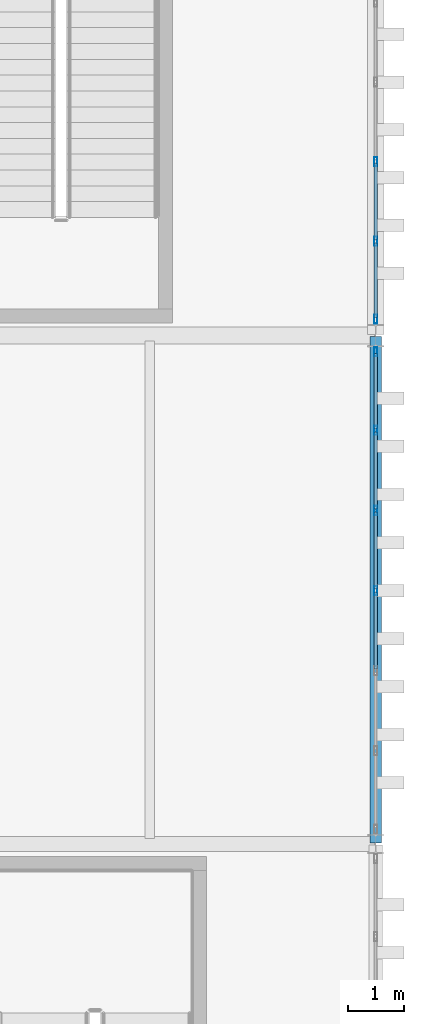
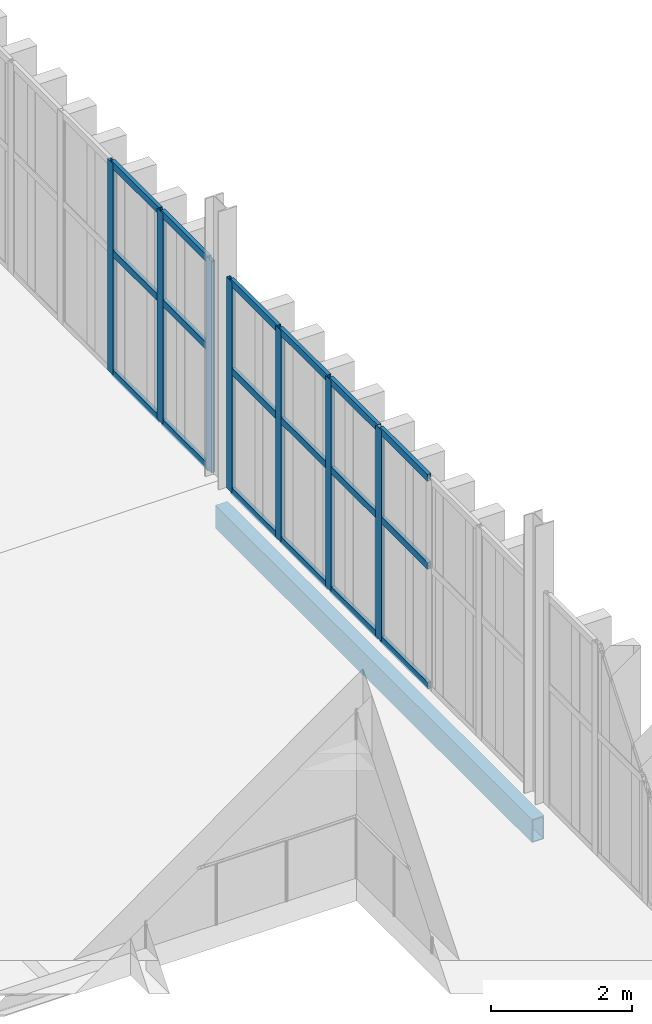
# One storey, part 129 of 196: 25 members, 1 beam, 2 elements without a shape of their own.
"""IFC4 building model written with IfcOpenShell, lengths in metres."""

from ifc_helpers import new_model, si_unit, direction, frame, origin, origin_2d, place, context, subcontext, project, spatial, hollow_rectangle, extrude, material, layer, layer_set, material_profile, profile_set, type_object, element, aggregate, save


model = new_model("IFC4")

# Units and contexts
model_context = context("Model", 3, precision=1e-05, world=origin(), true_north=direction((0.0, 1.0)))
body_context = subcontext(model_context, "Body", "Model", "MODEL_VIEW")
ifc_project = project(units=[si_unit("LENGTHUNIT", "METRE"), si_unit("AREAUNIT", "SQUARE_METRE"), si_unit("VOLUMEUNIT", "CUBIC_METRE"), si_unit("PLANEANGLEUNIT", "RADIAN"), si_unit("MASSUNIT", "GRAM", prefix="KILO")], contexts=[model_context])

# Site, building, storey
site_placement = place(None, origin())
site = spatial("IfcSite", under=ifc_project, at=site_placement, CompositionType="ELEMENT")
building_placement = place(site_placement, origin())
building = spatial("IfcBuilding", under=site, at=building_placement, Name="Barlavento Convention Centre", CompositionType="ELEMENT")
storey_placement = place(building_placement, frame((0.0, 0.0, 18.0)))
storey = spatial("IfcBuildingStorey", under=building, at=storey_placement, Name="L03", CompositionType="ELEMENT", Elevation=18.0)

# Curtain wall, members
ifc_material_1 = material(Name="Powder-coated aluminium and Low-E glass", Category="aluminium")
ifc_layer = layer(ifc_material_1, 0.179931640625)
ifc_layer_set = layer_set([ifc_layer], Name="ARC-CW-CONF-L03")
curtain_wall_type = type_object("IfcCurtainWallType", Name="ARC-CW-CONF-L03", PredefinedType="NOTDEFINED", material=ifc_layer_set)
curtain_wall_1_placement = place(storey_placement, origin())
curtain_wall_1 = element("IfcCurtainWall", 1, at=curtain_wall_1_placement, inside=storey, type_object=curtain_wall_type, Name="L03 unitised curtain wall CW08", PredefinedType="NOTDEFINED")
ifc_material_2 = material(Name="Powder-coated aluminium", Category="aluminium")
ifc_material_profile_1 = material_profile(ifc_material_2, hollow_rectangle(XDim=0.06005859375, YDim=0.159912109375, WallThickness=0.00390625, at=origin_2d()), Name="AL-MULL 60x160x4")
ifc_profile_set_1 = profile_set([ifc_material_profile_1], Name="Powder-coated aluminium")
member_type_1 = type_object("IfcMemberType", Name="ARC-CWM-60X160", PredefinedType="MULLION", material=ifc_profile_set_1)
member_1_placement = place(storey_placement, frame((192.0, 49.485107421875, 0.0), z_axis=(0.0, 0.0, 1.0), x_axis=(-1.0, 0.0, 0.0)))
member_1 = element("IfcMember", 2, at=member_1_placement, type_object=member_type_1, Name="CW08 mullion 4", PredefinedType="MULLION", context=body_context, shape_type="SweptSolid", body=[
    extrude(hollow_rectangle(XDim=0.06005859375, YDim=0.159912109375, WallThickness=0.00390625, at=origin_2d()), origin(), (0.0, 0.0, 1.0), 3.64990234375),
])
member_2_placement = place(storey_placement, frame((192.0, 50.9033203125, 0.0), z_axis=(0.0, 0.0, 1.0), x_axis=(-1.0, 0.0, 0.0)))
member_2 = element("IfcMember", 3, at=member_2_placement, type_object=member_type_1, Name="CW08 mullion 5", PredefinedType="MULLION", context=body_context, shape_type="SweptSolid", body=[
    extrude(hollow_rectangle(XDim=0.06005859375, YDim=0.159912109375, WallThickness=0.00390625, at=origin_2d()), origin(), (0.0, 0.0, 1.0), 3.64990234375),
])
member_3_placement = place(storey_placement, frame((192.0, 52.32177734375, 0.0), z_axis=(0.0, 0.0, 1.0), x_axis=(-1.0, 0.0, 0.0)))
member_3 = element("IfcMember", 4, at=member_3_placement, type_object=member_type_1, Name="CW08 mullion 6", PredefinedType="MULLION", context=body_context, shape_type="SweptSolid", body=[
    extrude(hollow_rectangle(XDim=0.06005859375, YDim=0.159912109375, WallThickness=0.00390625, at=origin_2d()), origin(), (0.0, 0.0, 1.0), 3.64990234375),
])
member_4_placement = place(storey_placement, frame((192.0, 53.7099609375, 0.0), z_axis=(0.0, 0.0, 1.0), x_axis=(-1.0, 0.0, 0.0)))
member_4 = element("IfcMember", 5, at=member_4_placement, type_object=member_type_1, Name="CW08 mullion 7", PredefinedType="MULLION", context=body_context, shape_type="SweptSolid", body=[
    extrude(hollow_rectangle(XDim=0.06005859375, YDim=0.159912109375, WallThickness=0.00390625, at=origin_2d()), origin(), (0.0, 0.0, 1.0), 3.64990234375),
])

curtain_wall_2_placement = place(storey_placement, origin())
curtain_wall_2 = element("IfcCurtainWall", 6, at=curtain_wall_2_placement, inside=storey, type_object=curtain_wall_type, Name="L03 unitised curtain wall CW08", PredefinedType="NOTDEFINED")
member_5_placement = place(storey_placement, frame((192.0, 54.2900390625, 0.0), z_axis=(0.0, 0.0, 1.0), x_axis=(-1.0, 0.0, 0.0)))
member_5 = element("IfcMember", 7, at=member_5_placement, type_object=member_type_1, Name="CW08 mullion 1", PredefinedType="MULLION", context=body_context, shape_type="SweptSolid", body=[
    extrude(hollow_rectangle(XDim=0.06005859375, YDim=0.159912109375, WallThickness=0.00390625, at=origin_2d()), origin(), (0.0, 0.0, 1.0), 3.64990234375),
])
member_6_placement = place(storey_placement, frame((192.0, 55.669189453125, 0.0), z_axis=(0.0, 0.0, 1.0), x_axis=(-1.0, 0.0, 0.0)))
member_6 = element("IfcMember", 8, at=member_6_placement, type_object=member_type_1, Name="CW08 mullion 2", PredefinedType="MULLION", context=body_context, shape_type="SweptSolid", body=[
    extrude(hollow_rectangle(XDim=0.06005859375, YDim=0.159912109375, WallThickness=0.00390625, at=origin_2d()), origin(), (0.0, 0.0, 1.0), 3.64990234375),
])
member_7_placement = place(storey_placement, frame((192.0, 57.078369140625, 0.0), z_axis=(0.0, 0.0, 1.0), x_axis=(-1.0, 0.0, 0.0)))
member_7 = element("IfcMember", 9, at=member_7_placement, type_object=member_type_1, Name="CW08 mullion 3", PredefinedType="MULLION", context=body_context, shape_type="SweptSolid", body=[
    extrude(hollow_rectangle(XDim=0.06005859375, YDim=0.159912109375, WallThickness=0.00390625, at=origin_2d()), origin(), (0.0, 0.0, 1.0), 3.64990234375),
])

# Member
ifc_material_profile_2 = material_profile(ifc_material_2, hollow_rectangle(XDim=0.06005859375, YDim=0.1201171875, WallThickness=0.00390625, at=origin_2d()), Name="AL-TRAN 60x120x4")
ifc_profile_set_2 = profile_set([ifc_material_profile_2], Name="Powder-coated aluminium")
member_type_2 = type_object("IfcMemberType", Name="ARC-CWT-60X120", PredefinedType="USERDEFINED", material=ifc_profile_set_2)
member_8_placement = place(storey_placement, frame((192.0, 48.0966796875, 0.030029296875), z_axis=(0.0, 1.0, 0.0), x_axis=(-1.0, 0.0, 0.0)))
member_8 = element("IfcMember", 10, at=member_8_placement, type_object=member_type_2, Name="CW08 transom 3.1", ObjectType="TRANSOM", PredefinedType="USERDEFINED", context=body_context, shape_type="SweptSolid", body=[
    extrude(hollow_rectangle(XDim=0.06005859375, YDim=0.1201171875, WallThickness=0.00390625, at=origin_2d()), origin(), (0.0, 0.0, 1.0), 1.3583984375),
])

member_9_placement = place(storey_placement, frame((192.0, 48.0966796875, 2.10009765625), z_axis=(0.0, 1.0, 0.0), x_axis=(-1.0, 0.0, 0.0)))
member_9 = element("IfcMember", 11, at=member_9_placement, type_object=member_type_2, Name="CW08 transom 3.2", ObjectType="TRANSOM", PredefinedType="USERDEFINED", context=body_context, shape_type="SweptSolid", body=[
    extrude(hollow_rectangle(XDim=0.06005859375, YDim=0.1201171875, WallThickness=0.00390625, at=origin_2d()), origin(), (0.0, 0.0, 1.0), 1.3583984375),
])

member_10_placement = place(storey_placement, frame((192.0, 48.0966796875, 3.6201171875), z_axis=(0.0, 1.0, 0.0), x_axis=(-1.0, 0.0, 0.0)))
member_10 = element("IfcMember", 12, at=member_10_placement, type_object=member_type_2, Name="CW08 transom 3.3", ObjectType="TRANSOM", PredefinedType="USERDEFINED", context=body_context, shape_type="SweptSolid", body=[
    extrude(hollow_rectangle(XDim=0.06005859375, YDim=0.1201171875, WallThickness=0.00390625, at=origin_2d()), origin(), (0.0, 0.0, 1.0), 1.3583984375),
])

member_11_placement = place(storey_placement, frame((192.0, 49.514892578125, 0.030029296875), z_axis=(0.0, 1.0, 0.0), x_axis=(-1.0, 0.0, 0.0)))
member_11 = element("IfcMember", 13, at=member_11_placement, type_object=member_type_2, Name="CW08 transom 4.1", ObjectType="TRANSOM", PredefinedType="USERDEFINED", context=body_context, shape_type="SweptSolid", body=[
    extrude(hollow_rectangle(XDim=0.06005859375, YDim=0.1201171875, WallThickness=0.00390625, at=origin_2d()), origin(), (0.0, 0.0, 1.0), 1.3583984375),
])

member_12_placement = place(storey_placement, frame((192.0, 49.514892578125, 2.10009765625), z_axis=(0.0, 1.0, 0.0), x_axis=(-1.0, 0.0, 0.0)))
member_12 = element("IfcMember", 14, at=member_12_placement, type_object=member_type_2, Name="CW08 transom 4.2", ObjectType="TRANSOM", PredefinedType="USERDEFINED", context=body_context, shape_type="SweptSolid", body=[
    extrude(hollow_rectangle(XDim=0.06005859375, YDim=0.1201171875, WallThickness=0.00390625, at=origin_2d()), origin(), (0.0, 0.0, 1.0), 1.3583984375),
])

member_13_placement = place(storey_placement, frame((192.0, 49.514892578125, 3.6201171875), z_axis=(0.0, 1.0, 0.0), x_axis=(-1.0, 0.0, 0.0)))
member_13 = element("IfcMember", 15, at=member_13_placement, type_object=member_type_2, Name="CW08 transom 4.3", ObjectType="TRANSOM", PredefinedType="USERDEFINED", context=body_context, shape_type="SweptSolid", body=[
    extrude(hollow_rectangle(XDim=0.06005859375, YDim=0.1201171875, WallThickness=0.00390625, at=origin_2d()), origin(), (0.0, 0.0, 1.0), 1.3583984375),
])

member_14_placement = place(storey_placement, frame((192.0, 50.933349609375, 0.030029296875), z_axis=(0.0, 1.0, 0.0), x_axis=(-1.0, 0.0, 0.0)))
member_14 = element("IfcMember", 16, at=member_14_placement, type_object=member_type_2, Name="CW08 transom 5.1", ObjectType="TRANSOM", PredefinedType="USERDEFINED", context=body_context, shape_type="SweptSolid", body=[
    extrude(hollow_rectangle(XDim=0.06005859375, YDim=0.1201171875, WallThickness=0.00390625, at=origin_2d()), origin(), (0.0, 0.0, 1.0), 1.3583984375),
])

member_15_placement = place(storey_placement, frame((192.0, 50.933349609375, 2.10009765625), z_axis=(0.0, 1.0, 0.0), x_axis=(-1.0, 0.0, 0.0)))
member_15 = element("IfcMember", 17, at=member_15_placement, type_object=member_type_2, Name="CW08 transom 5.2", ObjectType="TRANSOM", PredefinedType="USERDEFINED", context=body_context, shape_type="SweptSolid", body=[
    extrude(hollow_rectangle(XDim=0.06005859375, YDim=0.1201171875, WallThickness=0.00390625, at=origin_2d()), origin(), (0.0, 0.0, 1.0), 1.3583984375),
])

member_16_placement = place(storey_placement, frame((192.0, 50.933349609375, 3.6201171875), z_axis=(0.0, 1.0, 0.0), x_axis=(-1.0, 0.0, 0.0)))
member_16 = element("IfcMember", 18, at=member_16_placement, type_object=member_type_2, Name="CW08 transom 5.3", ObjectType="TRANSOM", PredefinedType="USERDEFINED", context=body_context, shape_type="SweptSolid", body=[
    extrude(hollow_rectangle(XDim=0.06005859375, YDim=0.1201171875, WallThickness=0.00390625, at=origin_2d()), origin(), (0.0, 0.0, 1.0), 1.3583984375),
])

member_17_placement = place(storey_placement, frame((192.0, 52.3515625, 0.030029296875), z_axis=(0.0, 1.0, 0.0), x_axis=(-1.0, 0.0, 0.0)))
member_17 = element("IfcMember", 19, at=member_17_placement, type_object=member_type_2, Name="CW08 transom 6.1", ObjectType="TRANSOM", PredefinedType="USERDEFINED", context=body_context, shape_type="SweptSolid", body=[
    extrude(hollow_rectangle(XDim=0.06005859375, YDim=0.1201171875, WallThickness=0.00390625, at=origin_2d()), origin(), (0.0, 0.0, 1.0), 1.328369140625),
])

member_18_placement = place(storey_placement, frame((192.0, 52.3515625, 2.10009765625), z_axis=(0.0, 1.0, 0.0), x_axis=(-1.0, 0.0, 0.0)))
member_18 = element("IfcMember", 20, at=member_18_placement, type_object=member_type_2, Name="CW08 transom 6.2", ObjectType="TRANSOM", PredefinedType="USERDEFINED", context=body_context, shape_type="SweptSolid", body=[
    extrude(hollow_rectangle(XDim=0.06005859375, YDim=0.1201171875, WallThickness=0.00390625, at=origin_2d()), origin(), (0.0, 0.0, 1.0), 1.328369140625),
])

member_19_placement = place(storey_placement, frame((192.0, 52.3515625, 3.6201171875), z_axis=(0.0, 1.0, 0.0), x_axis=(-1.0, 0.0, 0.0)))
member_19 = element("IfcMember", 21, at=member_19_placement, type_object=member_type_2, Name="CW08 transom 6.3", ObjectType="TRANSOM", PredefinedType="USERDEFINED", context=body_context, shape_type="SweptSolid", body=[
    extrude(hollow_rectangle(XDim=0.06005859375, YDim=0.1201171875, WallThickness=0.00390625, at=origin_2d()), origin(), (0.0, 0.0, 1.0), 1.328369140625),
])

aggregate(curtain_wall_1, [member_1, member_2, member_3, member_4, member_8, member_9, member_10, member_11, member_12, member_13, member_14, member_15, member_16, member_17, member_18, member_19])

member_20_placement = place(storey_placement, frame((192.0, 54.320068359375, 0.030029296875), z_axis=(0.0, 1.0, 0.0), x_axis=(-1.0, 0.0, 0.0)))
member_20 = element("IfcMember", 22, at=member_20_placement, type_object=member_type_2, Name="CW08 transom 1.1", ObjectType="TRANSOM", PredefinedType="USERDEFINED", context=body_context, shape_type="SweptSolid", body=[
    extrude(hollow_rectangle(XDim=0.06005859375, YDim=0.1201171875, WallThickness=0.00390625, at=origin_2d()), origin(), (0.0, 0.0, 1.0), 1.319091796875),
])

member_21_placement = place(storey_placement, frame((192.0, 54.320068359375, 2.10009765625), z_axis=(0.0, 1.0, 0.0), x_axis=(-1.0, 0.0, 0.0)))
member_21 = element("IfcMember", 23, at=member_21_placement, type_object=member_type_2, Name="CW08 transom 1.2", ObjectType="TRANSOM", PredefinedType="USERDEFINED", context=body_context, shape_type="SweptSolid", body=[
    extrude(hollow_rectangle(XDim=0.06005859375, YDim=0.1201171875, WallThickness=0.00390625, at=origin_2d()), origin(), (0.0, 0.0, 1.0), 1.319091796875),
])

member_22_placement = place(storey_placement, frame((192.0, 54.320068359375, 3.6201171875), z_axis=(0.0, 1.0, 0.0), x_axis=(-1.0, 0.0, 0.0)))
member_22 = element("IfcMember", 24, at=member_22_placement, type_object=member_type_2, Name="CW08 transom 1.3", ObjectType="TRANSOM", PredefinedType="USERDEFINED", context=body_context, shape_type="SweptSolid", body=[
    extrude(hollow_rectangle(XDim=0.06005859375, YDim=0.1201171875, WallThickness=0.00390625, at=origin_2d()), origin(), (0.0, 0.0, 1.0), 1.319091796875),
])

member_23_placement = place(storey_placement, frame((192.0, 55.69921875, 0.030029296875), z_axis=(0.0, 1.0, 0.0), x_axis=(-1.0, 0.0, 0.0)))
member_23 = element("IfcMember", 25, at=member_23_placement, type_object=member_type_2, Name="CW08 transom 2.1", ObjectType="TRANSOM", PredefinedType="USERDEFINED", context=body_context, shape_type="SweptSolid", body=[
    extrude(hollow_rectangle(XDim=0.06005859375, YDim=0.1201171875, WallThickness=0.00390625, at=origin_2d()), origin(), (0.0, 0.0, 1.0), 1.34912109375),
])

member_24_placement = place(storey_placement, frame((192.0, 55.69921875, 2.10009765625), z_axis=(0.0, 1.0, 0.0), x_axis=(-1.0, 0.0, 0.0)))
member_24 = element("IfcMember", 26, at=member_24_placement, type_object=member_type_2, Name="CW08 transom 2.2", ObjectType="TRANSOM", PredefinedType="USERDEFINED", context=body_context, shape_type="SweptSolid", body=[
    extrude(hollow_rectangle(XDim=0.06005859375, YDim=0.1201171875, WallThickness=0.00390625, at=origin_2d()), origin(), (0.0, 0.0, 1.0), 1.34912109375),
])

member_25_placement = place(storey_placement, frame((192.0, 55.69921875, 3.6201171875), z_axis=(0.0, 1.0, 0.0), x_axis=(-1.0, 0.0, 0.0)))
member_25 = element("IfcMember", 27, at=member_25_placement, type_object=member_type_2, Name="CW08 transom 2.3", ObjectType="TRANSOM", PredefinedType="USERDEFINED", context=body_context, shape_type="SweptSolid", body=[
    extrude(hollow_rectangle(XDim=0.06005859375, YDim=0.1201171875, WallThickness=0.00390625, at=origin_2d()), origin(), (0.0, 0.0, 1.0), 1.34912109375),
])

aggregate(curtain_wall_2, [member_5, member_6, member_7, member_20, member_21, member_22, member_23, member_24, member_25])

# Beam
ifc_material_3 = material(Name="Steel S355", Category="steel")
ifc_material_profile_3 = material_profile(ifc_material_3, hollow_rectangle(XDim=0.199951171875, YDim=0.39990234375, WallThickness=0.01611328125, at=origin_2d()), Name="RHS 400x200x16.0")
ifc_profile_set_3 = profile_set([ifc_material_profile_3], Name="Steel S355")
beam_type = type_object("IfcBeamType", Name="STR-BM-SPN-RHS400", PredefinedType="SPANDREL", material=ifc_profile_set_3)
beam_placement = place(storey_placement, frame((192.0, 45.02001953125, -0.590087890625), z_axis=(0.0, 1.0, 0.0), x_axis=(-1.0, 0.0, 0.0)))
element("IfcBeam", 28, at=beam_placement, inside=storey, type_object=beam_type, Name="L03 grid girder SP06", PredefinedType="SPANDREL", context=body_context, shape_type="SweptSolid", body=[
    extrude(hollow_rectangle(XDim=0.199951171875, YDim=0.39990234375, WallThickness=0.01611328125, at=origin_2d()), origin(), (0.0, 0.0, 1.0), 8.9599609375),
])

save(model, "model.ifc")
